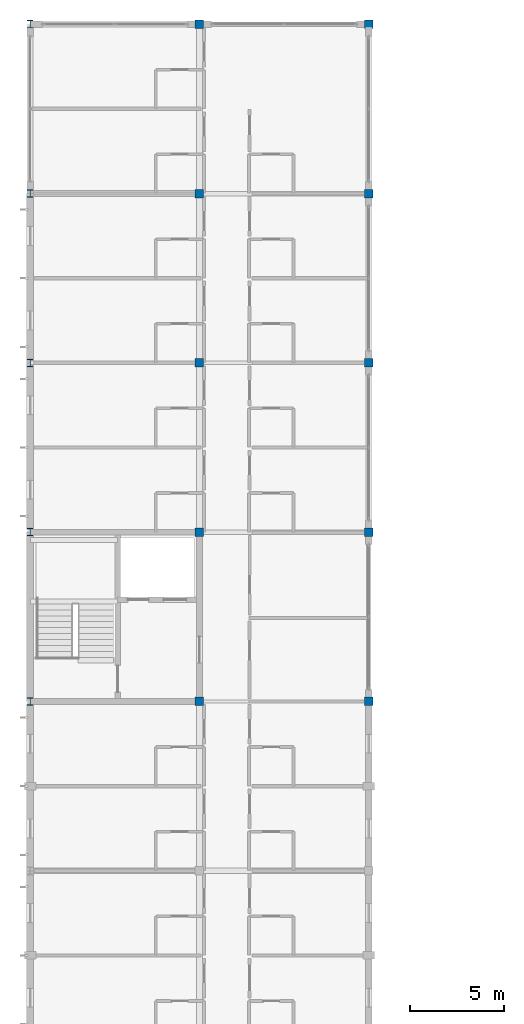
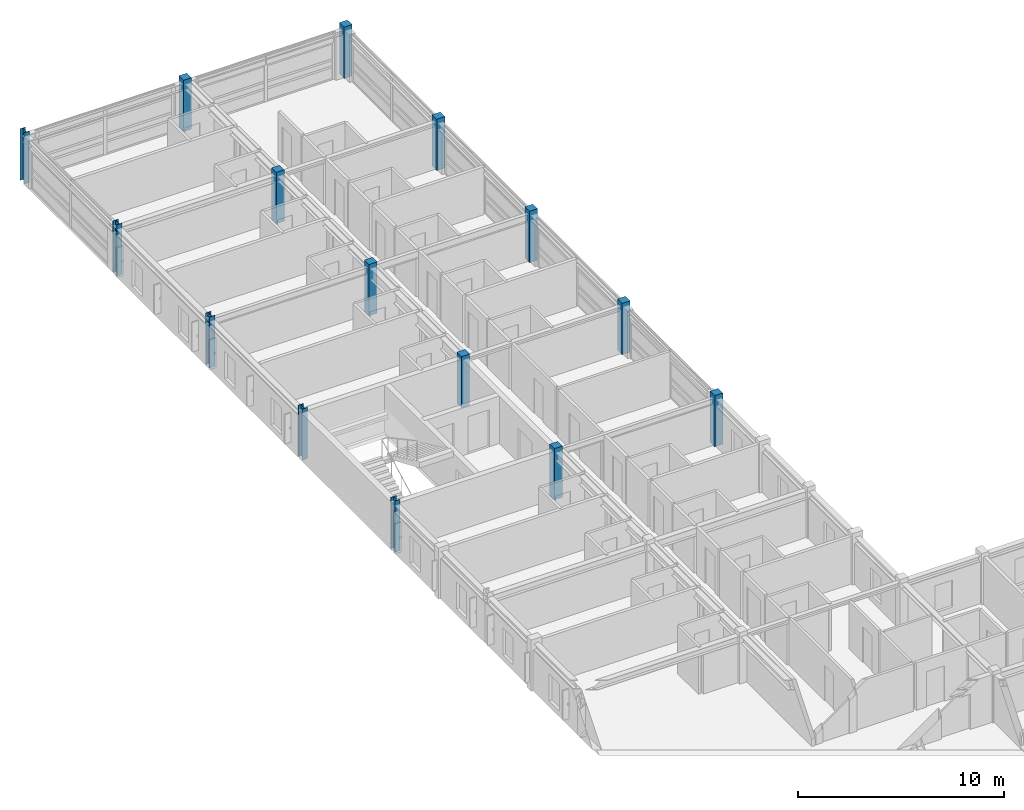
# One storey, part 3 of 24: 15 columns.
"""IFC4 building model written with IfcOpenShell, lengths in metres."""

import ifcopenshell
import ifcopenshell.guid

model = None  # the IFC model being written
_history = None  # IfcOwnerHistory: only IFC2X3 demands one
_inside = {}  # id of a spatial element -> (the spatial element, [elements in it])
_under = {}  # id of a project, library or spatial element -> (it, [spatial elements below it])
_declared = {}  # id of a project -> (the project, [libraries it declares])
_typed = {}  # id of a type object -> (the type object, [elements of that type])
_made_of = {}  # id of a material, layer set ... -> (it, [elements and type objects made of it])


def new_model(schema):
    """Start an empty IFC model of exactly this schema.

    Asked for "IFC4X3", IfcOpenShell would pick the latest addendum, in which some entities
    have other attributes; the version numbers below select the first issue.
    IFC2X3 requires an IfcOwnerHistory on every rooted entity: one is made here for all.
    """
    global model, _history
    if schema == "IFC4X3":
        model = ifcopenshell.file(schema_version=(4, 3, 0, 0))
    else:
        model = ifcopenshell.file(schema=schema)
    _inside.clear()
    _under.clear()
    _declared.clear()
    _typed.clear()
    _made_of.clear()
    _history = None
    if model.schema == "IFC2X3":
        org = make("IfcOrganization", Name="unknown")
        user = make(
            "IfcPersonAndOrganization",
            ThePerson=make("IfcPerson", FamilyName="unknown"),
            TheOrganization=org,
        )
        app = make(
            "IfcApplication",
            ApplicationDeveloper=org,
            Version="unknown",
            ApplicationFullName="unknown",
            ApplicationIdentifier="unknown",
        )
        _history = make(
            "IfcOwnerHistory",
            OwningUser=user,
            OwningApplication=app,
            ChangeAction="ADDED",
            CreationDate=0,
        )
    return model


def make(cls, **values):
    """One entity of the class cls with the attributes given. An attribute that is None is left unset."""
    return model.create_entity(
        cls, **{name: value for name, value in values.items() if value is not None}
    )


def rooted(cls, **values):
    """An entity with a GlobalId (a new one), such as an element, a storey or a relation."""
    return make(cls, GlobalId=ifcopenshell.guid.new(), OwnerHistory=_history, **values)


def si_unit(unit_type, name, prefix=None):
    """IfcSIUnit, for example si_unit("LENGTHUNIT", "METRE", prefix="MILLI")."""
    return make("IfcSIUnit", UnitType=unit_type, Prefix=prefix, Name=name)


def assignment(units):
    """IfcUnitAssignment: the units of a project."""
    return None if units is None else make("IfcUnitAssignment", Units=units)


def point(xyz):
    """IfcCartesianPoint."""
    return None if xyz is None else make("IfcCartesianPoint", Coordinates=xyz)


def direction(xyz):
    """IfcDirection."""
    return None if xyz is None else make("IfcDirection", DirectionRatios=xyz)


def frame(location, z_axis=None, x_axis=None):
    """IfcAxis2Placement3D, a coordinate frame: its origin and axes. An axis left out is left unset."""
    return make(
        "IfcAxis2Placement3D",
        Location=point(location),
        Axis=direction(z_axis),
        RefDirection=direction(x_axis),
    )


def frame_2d(location, x_axis=None):
    """IfcAxis2Placement2D, a coordinate frame in the plane: its origin and x axis."""
    return make(
        "IfcAxis2Placement2D", Location=point(location), RefDirection=direction(x_axis)
    )


def origin():
    """The frame at (0, 0, 0) with its axes left unset."""
    return frame((0.0, 0.0, 0.0))


def origin_2d():
    """The frame at (0, 0) in the plane with its x axis left unset."""
    return frame_2d((0.0, 0.0))


def place(relative_to, where):
    """IfcLocalPlacement: puts the frame where relative to a parent placement (None: the world)."""
    return make(
        "IfcLocalPlacement", PlacementRelTo=relative_to, RelativePlacement=where
    )


def context(
    kind, dimensions, precision=None, world=None, true_north=None, identifier=None
):
    """IfcGeometricRepresentationContext, for example the 3D "Model" context."""
    return make(
        "IfcGeometricRepresentationContext",
        ContextIdentifier=identifier,
        ContextType=kind,
        CoordinateSpaceDimension=dimensions,
        Precision=precision,
        WorldCoordinateSystem=world,
        TrueNorth=true_north,
    )


def subcontext(parent, identifier, kind, view, scale=None):
    """IfcGeometricRepresentationSubContext, for example "Body" below "Model"."""
    return make(
        "IfcGeometricRepresentationSubContext",
        ContextIdentifier=identifier,
        ContextType=kind,
        ParentContext=parent,
        TargetScale=scale,
        TargetView=view,
    )


def project(units=None, contexts=None):
    """IfcProject with its units and contexts."""
    return rooted(
        "IfcProject",
        Name="project",
        RepresentationContexts=contexts,
        UnitsInContext=assignment(units),
    )


def spatial(cls, under=None, at=None, **own):
    """A site, building, storey or space (cls), placed at a placement, below another one or the project."""
    s = rooted(cls, ObjectPlacement=at, **own)
    if under is not None:
        _under.setdefault(under.id(), (under, []))[1].append(s)
    return s


def profile(cls, at=None, kind="AREA", **sizes):
    """A parametric profile (cls). Its sizes go by their IFC names, for example OverallWidth=200.0."""
    return make(cls, ProfileType=kind, Position=at, **sizes)


def rectangle(**sizes):
    """IfcRectangleProfileDef."""
    return profile("IfcRectangleProfileDef", **sizes)


def i_section(**sizes):
    """IfcIShapeProfileDef."""
    return profile("IfcIShapeProfileDef", **sizes)


def extrude(swept, where, along, depth):
    """IfcExtrudedAreaSolid: the profile swept, set in the frame where, extruded along a direction by depth."""
    return make(
        "IfcExtrudedAreaSolid",
        SweptArea=swept,
        Position=where,
        ExtrudedDirection=direction(along),
        Depth=depth,
    )


def shape(context_of_items, identifier, shape_type, items):
    """IfcShapeRepresentation: the items that make up one representation, for example the "Body"."""
    return make(
        "IfcShapeRepresentation",
        ContextOfItems=context_of_items,
        RepresentationIdentifier=identifier,
        RepresentationType=shape_type,
        Items=items,
    )


def material(Name=None, Category=None):
    """IfcMaterial."""
    return make("IfcMaterial", Name=Name, Category=Category)


def material_profile(
    of_material, cross_section, Name=None, Category=None, Priority=None
):
    """IfcMaterialProfile: a cross section and its material."""
    return make(
        "IfcMaterialProfile",
        Name=Name,
        Material=of_material,
        Profile=cross_section,
        Priority=Priority,
        Category=Category,
    )


def profile_set(profiles, Name=None, composite=None):
    """IfcMaterialProfileSet."""
    return make(
        "IfcMaterialProfileSet",
        Name=Name,
        MaterialProfiles=profiles,
        CompositeProfile=composite,
    )


def made_of(thing, what):
    """Note that an element or type object is made of a material, layer set ...; save() writes the relation."""
    if what is not None:
        _made_of.setdefault(what.id(), (what, []))[1].append(thing)
    return thing


def type_object(cls, material=None, **own):
    """A type object (cls), such as IfcWallType, which elements share."""
    return made_of(rooted(cls, **own), material)


def element(
    cls,
    number,
    at=None,
    inside=None,
    cuts=None,
    type_object=None,
    material=None,
    context=None,
    identifier="Body",
    shape_type=None,
    held_by="IfcProductDefinitionShape",
    body=None,
    shapes=None,
    **own,
):
    """One element of the class cls, such as IfcWall. Its Tag is "e" and its number.

    at: its placement. inside: the storey or other place that contains it. cuts: it is an
    opening in that element (IfcRelVoidsElement). A single representation is given by context,
    identifier, shape_type and body (its items); several are given by shapes. held_by: the class
    of the entity that holds the representations. save() writes the other relations.
    """
    e = rooted(cls, Tag="e%d" % number, ObjectPlacement=at, **own)
    if body is not None:
        shapes = [shape(context, identifier, shape_type, body)]
    if shapes is not None:
        e.Representation = make(held_by, Representations=shapes)
    if inside is not None:
        _inside.setdefault(inside.id(), (inside, []))[1].append(e)
    if cuts is not None:
        rooted(
            "IfcRelVoidsElement", RelatingBuildingElement=cuts, RelatedOpeningElement=e
        )
    if type_object is not None:
        _typed.setdefault(type_object.id(), (type_object, []))[1].append(e)
    return made_of(e, material)


def aggregate(whole, parts):
    """IfcRelAggregates: a whole, such as a stair, and the parts it consists of."""
    return rooted("IfcRelAggregates", RelatingObject=whole, RelatedObjects=parts)


def save(model, path):
    """Write the relations noted so far, then the file.

    IfcRelAggregates (storeys below a building ...), IfcRelContainedInSpatialStructure (elements
    in a storey), IfcRelDefinesByType, IfcRelAssociatesMaterial and IfcRelDeclares: one each for
    every whole, place, type object, material and project.
    """
    for whole, parts in _under.values():
        aggregate(whole, parts)
    for where, things in _inside.values():
        rooted(
            "IfcRelContainedInSpatialStructure",
            RelatedElements=things,
            RelatingStructure=where,
        )
    for kind, things in _typed.values():
        rooted("IfcRelDefinesByType", RelatedObjects=things, RelatingType=kind)
    for what, things in _made_of.values():
        rooted("IfcRelAssociatesMaterial", RelatedObjects=things, RelatingMaterial=what)
    for by, libraries in _declared.values():
        rooted("IfcRelDeclares", RelatingContext=by, RelatedDefinitions=libraries)
    model.write(path)


model = new_model("IFC4")

# Units and contexts
model_context = context("Model", 3, precision=1e-05, world=origin(), true_north=direction((0.0, 1.0)))
body_context = subcontext(model_context, "Body", "Model", "MODEL_VIEW")
ifc_project = project(units=[si_unit("LENGTHUNIT", "METRE"), si_unit("AREAUNIT", "SQUARE_METRE"), si_unit("VOLUMEUNIT", "CUBIC_METRE"), si_unit("PLANEANGLEUNIT", "RADIAN"), si_unit("MASSUNIT", "GRAM", prefix="KILO")], contexts=[model_context])

# Site, building, storey
site_placement = place(None, origin())
site = spatial("IfcSite", under=ifc_project, at=site_placement, CompositionType="ELEMENT")
building_placement = place(site_placement, origin())
building = spatial("IfcBuilding", under=site, at=building_placement, Name="Palais des Congres Ocreval", CompositionType="ELEMENT")
storey_placement = place(building_placement, frame((0.0, 0.0, 17.60009765625)))
storey = spatial("IfcBuildingStorey", under=building, at=storey_placement, Name="L05", CompositionType="ELEMENT", Elevation=17.60009765625)

# Columns
ifc_material_1 = material(Name="Steel S355", Category="steel")
ifc_material_profile_1 = material_profile(ifc_material_1, i_section(OverallWidth=0.300048828125, OverallDepth=0.39990234375, WebThickness=0.013427734375, FlangeThickness=0.02392578125, at=origin_2d()), Name="HEB 400")
ifc_profile_set_1 = profile_set([ifc_material_profile_1], Name="Steel S355")
column_type_1 = type_object("IfcColumnType", Name="Column HEB 400 Steel S355", PredefinedType="COLUMN", material=ifc_profile_set_1)
for number, where, z_axis, x_axis, name in (
    (1, (0.0, 36.0, 0.0), (0.0, 0.0, 1.0), (1.0, 0.0, 0.0), "Column C10 L05"),
    (2, (0.0, 45.0, 0.0), (0.0, 0.0, 1.0), (1.0, 0.0, 0.0), "Column C10 L05"),
    (3, (0.0, 54.0, 0.0), (0.0, 0.0, 1.0), (1.0, 0.0, 0.0), "Column C10 L05"),
    (4, (0.0, 63.0, 0.0), (0.0, 0.0, 1.0), (1.0, 0.0, 0.0), "Column C10 L05"),
    (5, (0.0, 72.0, 0.0), (0.0, 0.0, 1.0), (1.0, 0.0, 0.0), "Column C10 L05"),
):
    element("IfcColumn", number, at=place(storey_placement, frame(where, z_axis=z_axis, x_axis=x_axis)), inside=storey, type_object=column_type_1, Name=name, PredefinedType="COLUMN", context=body_context, shape_type="SweptSolid", body=[
        extrude(i_section(OverallWidth=0.300048828125, OverallDepth=0.39990234375, WebThickness=0.013427734375, FlangeThickness=0.02392578125, at=origin_2d()), origin(), (0.0, 0.0, 1.0), 3.039794921875),
    ])
ifc_material_2 = material(Name="Concrete C40/50", Category="concrete")
ifc_material_profile_2 = material_profile(ifc_material_2, rectangle(XDim=0.449951171875, YDim=0.449951171875, at=origin_2d()), Name="RC 450x450")
ifc_profile_set_2 = profile_set([ifc_material_profile_2], Name="Concrete C40/50")
column_type_2 = type_object("IfcColumnType", Name="Column RC 450x450 Concrete C40/50", PredefinedType="COLUMN", material=ifc_profile_set_2)
for number, where, z_axis, x_axis, name in (
    (6, (9.0, 36.0, 0.0), (0.0, 0.0, 1.0), (1.0, 0.0, 0.0), "Column C25 L05"),
    (7, (9.0, 45.0, 0.0), (0.0, 0.0, 1.0), (1.0, 0.0, 0.0), "Column C25 L05"),
    (8, (9.0, 54.0, 0.0), (0.0, 0.0, 1.0), (1.0, 0.0, 0.0), "Column C25 L05"),
    (9, (9.0, 63.0, 0.0), (0.0, 0.0, 1.0), (1.0, 0.0, 0.0), "Column C25 L05"),
    (10, (9.0, 72.0, 0.0), (0.0, 0.0, 1.0), (1.0, 0.0, 0.0), "Column C25 L05"),
    (11, (18.0, 36.0, 0.0), (0.0, 0.0, 1.0), (1.0, 0.0, 0.0), "Column C25 L05"),
    (12, (18.0, 45.0, 0.0), (0.0, 0.0, 1.0), (1.0, 0.0, 0.0), "Column C25 L05"),
    (13, (18.0, 54.0, 0.0), (0.0, 0.0, 1.0), (1.0, 0.0, 0.0), "Column C25 L05"),
    (14, (18.0, 63.0, 0.0), (0.0, 0.0, 1.0), (1.0, 0.0, 0.0), "Column C25 L05"),
    (15, (18.0, 72.0, 0.0), (0.0, 0.0, 1.0), (1.0, 0.0, 0.0), "Column C25 L05"),
):
    element("IfcColumn", number, at=place(storey_placement, frame(where, z_axis=z_axis, x_axis=x_axis)), inside=storey, type_object=column_type_2, Name=name, PredefinedType="COLUMN", context=body_context, shape_type="SweptSolid", body=[
        extrude(rectangle(XDim=0.449951171875, YDim=0.449951171875, at=origin_2d()), origin(), (0.0, 0.0, 1.0), 3.039794921875),
    ])

save(model, "model.ifc")
